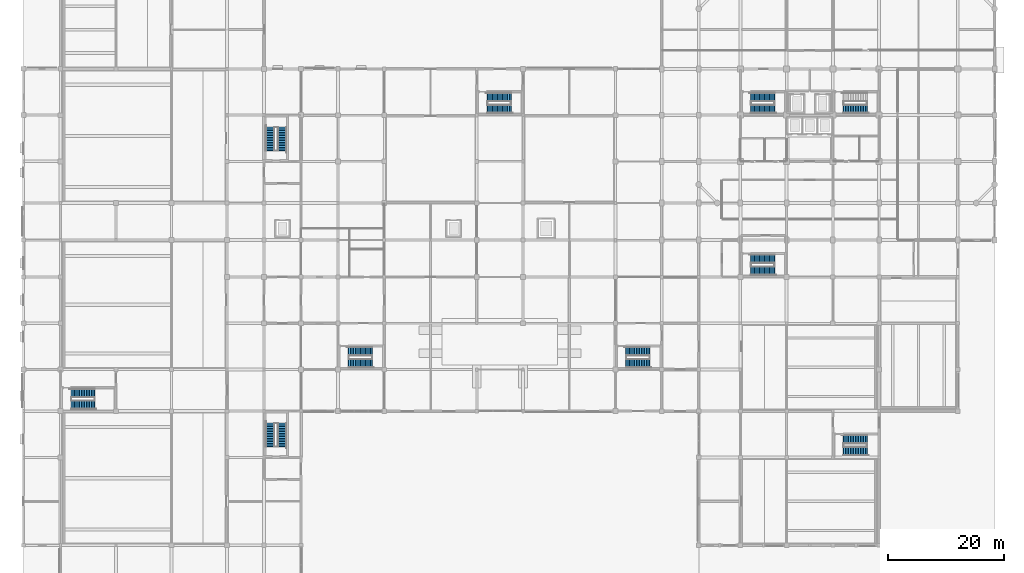
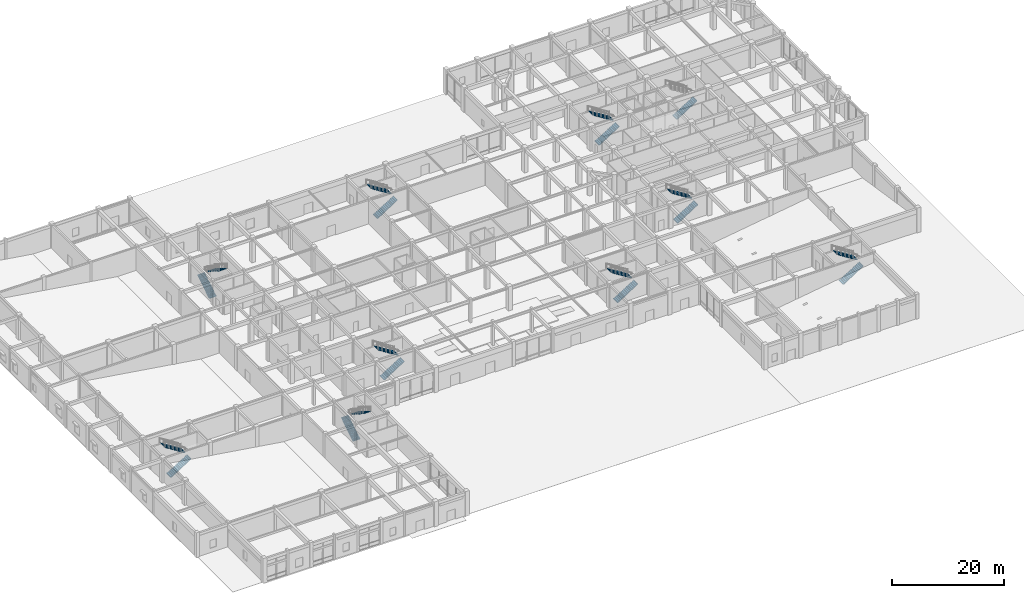
# One storey, part 35 of 40: 19 stair flights, 10 elements without a shape of their own.
"""IFC4 building model written with IfcOpenShell, lengths in metres."""

import ifcopenshell
import ifcopenshell.guid

model = None  # the IFC model being written
_history = None  # IfcOwnerHistory: only IFC2X3 demands one
_inside = {}  # id of a spatial element -> (the spatial element, [elements in it])
_under = {}  # id of a project, library or spatial element -> (it, [spatial elements below it])
_declared = {}  # id of a project -> (the project, [libraries it declares])
_typed = {}  # id of a type object -> (the type object, [elements of that type])
_made_of = {}  # id of a material, layer set ... -> (it, [elements and type objects made of it])


def new_model(schema):
    """Start an empty IFC model of exactly this schema.

    Asked for "IFC4X3", IfcOpenShell would pick the latest addendum, in which some entities
    have other attributes; the version numbers below select the first issue.
    IFC2X3 requires an IfcOwnerHistory on every rooted entity: one is made here for all.
    """
    global model, _history
    if schema == "IFC4X3":
        model = ifcopenshell.file(schema_version=(4, 3, 0, 0))
    else:
        model = ifcopenshell.file(schema=schema)
    _inside.clear()
    _under.clear()
    _declared.clear()
    _typed.clear()
    _made_of.clear()
    _history = None
    if model.schema == "IFC2X3":
        org = make("IfcOrganization", Name="unknown")
        user = make(
            "IfcPersonAndOrganization",
            ThePerson=make("IfcPerson", FamilyName="unknown"),
            TheOrganization=org,
        )
        app = make(
            "IfcApplication",
            ApplicationDeveloper=org,
            Version="unknown",
            ApplicationFullName="unknown",
            ApplicationIdentifier="unknown",
        )
        _history = make(
            "IfcOwnerHistory",
            OwningUser=user,
            OwningApplication=app,
            ChangeAction="ADDED",
            CreationDate=0,
        )
    return model


def make(cls, **values):
    """One entity of the class cls with the attributes given. An attribute that is None is left unset."""
    return model.create_entity(
        cls, **{name: value for name, value in values.items() if value is not None}
    )


def rooted(cls, **values):
    """An entity with a GlobalId (a new one), such as an element, a storey or a relation."""
    return make(cls, GlobalId=ifcopenshell.guid.new(), OwnerHistory=_history, **values)


def si_unit(unit_type, name, prefix=None):
    """IfcSIUnit, for example si_unit("LENGTHUNIT", "METRE", prefix="MILLI")."""
    return make("IfcSIUnit", UnitType=unit_type, Prefix=prefix, Name=name)


def assignment(units):
    """IfcUnitAssignment: the units of a project."""
    return None if units is None else make("IfcUnitAssignment", Units=units)


def point(xyz):
    """IfcCartesianPoint."""
    return None if xyz is None else make("IfcCartesianPoint", Coordinates=xyz)


def direction(xyz):
    """IfcDirection."""
    return None if xyz is None else make("IfcDirection", DirectionRatios=xyz)


def frame(location, z_axis=None, x_axis=None):
    """IfcAxis2Placement3D, a coordinate frame: its origin and axes. An axis left out is left unset."""
    return make(
        "IfcAxis2Placement3D",
        Location=point(location),
        Axis=direction(z_axis),
        RefDirection=direction(x_axis),
    )


def origin():
    """The frame at (0, 0, 0) with its axes left unset."""
    return frame((0.0, 0.0, 0.0))


def place(relative_to, where):
    """IfcLocalPlacement: puts the frame where relative to a parent placement (None: the world)."""
    return make(
        "IfcLocalPlacement", PlacementRelTo=relative_to, RelativePlacement=where
    )


def context(
    kind, dimensions, precision=None, world=None, true_north=None, identifier=None
):
    """IfcGeometricRepresentationContext, for example the 3D "Model" context."""
    return make(
        "IfcGeometricRepresentationContext",
        ContextIdentifier=identifier,
        ContextType=kind,
        CoordinateSpaceDimension=dimensions,
        Precision=precision,
        WorldCoordinateSystem=world,
        TrueNorth=true_north,
    )


def subcontext(parent, identifier, kind, view, scale=None):
    """IfcGeometricRepresentationSubContext, for example "Body" below "Model"."""
    return make(
        "IfcGeometricRepresentationSubContext",
        ContextIdentifier=identifier,
        ContextType=kind,
        ParentContext=parent,
        TargetScale=scale,
        TargetView=view,
    )


def project(units=None, contexts=None):
    """IfcProject with its units and contexts."""
    return rooted(
        "IfcProject",
        Name="project",
        RepresentationContexts=contexts,
        UnitsInContext=assignment(units),
    )


def spatial(cls, under=None, at=None, **own):
    """A site, building, storey or space (cls), placed at a placement, below another one or the project."""
    s = rooted(cls, ObjectPlacement=at, **own)
    if under is not None:
        _under.setdefault(under.id(), (under, []))[1].append(s)
    return s


def polyline(points):
    """IfcPolyline through the points."""
    return make("IfcPolyline", Points=[point(p) for p in points])


def outline(outer, holes=None, kind="AREA"):
    """IfcArbitraryClosedProfileDef: a profile drawn as a closed curve; with holes, ...WithVoids."""
    if holes is None:
        return make("IfcArbitraryClosedProfileDef", ProfileType=kind, OuterCurve=outer)
    return make(
        "IfcArbitraryProfileDefWithVoids",
        ProfileType=kind,
        OuterCurve=outer,
        InnerCurves=holes,
    )


def extrude(swept, where, along, depth):
    """IfcExtrudedAreaSolid: the profile swept, set in the frame where, extruded along a direction by depth."""
    return make(
        "IfcExtrudedAreaSolid",
        SweptArea=swept,
        Position=where,
        ExtrudedDirection=direction(along),
        Depth=depth,
    )


def shape(context_of_items, identifier, shape_type, items):
    """IfcShapeRepresentation: the items that make up one representation, for example the "Body"."""
    return make(
        "IfcShapeRepresentation",
        ContextOfItems=context_of_items,
        RepresentationIdentifier=identifier,
        RepresentationType=shape_type,
        Items=items,
    )


def material(Name=None, Category=None):
    """IfcMaterial."""
    return make("IfcMaterial", Name=Name, Category=Category)


def made_of(thing, what):
    """Note that an element or type object is made of a material, layer set ...; save() writes the relation."""
    if what is not None:
        _made_of.setdefault(what.id(), (what, []))[1].append(thing)
    return thing


def type_object(cls, material=None, **own):
    """A type object (cls), such as IfcWallType, which elements share."""
    return made_of(rooted(cls, **own), material)


def element(
    cls,
    number,
    at=None,
    inside=None,
    cuts=None,
    type_object=None,
    material=None,
    context=None,
    identifier="Body",
    shape_type=None,
    held_by="IfcProductDefinitionShape",
    body=None,
    shapes=None,
    **own,
):
    """One element of the class cls, such as IfcWall. Its Tag is "e" and its number.

    at: its placement. inside: the storey or other place that contains it. cuts: it is an
    opening in that element (IfcRelVoidsElement). A single representation is given by context,
    identifier, shape_type and body (its items); several are given by shapes. held_by: the class
    of the entity that holds the representations. save() writes the other relations.
    """
    e = rooted(cls, Tag="e%d" % number, ObjectPlacement=at, **own)
    if body is not None:
        shapes = [shape(context, identifier, shape_type, body)]
    if shapes is not None:
        e.Representation = make(held_by, Representations=shapes)
    if inside is not None:
        _inside.setdefault(inside.id(), (inside, []))[1].append(e)
    if cuts is not None:
        rooted(
            "IfcRelVoidsElement", RelatingBuildingElement=cuts, RelatedOpeningElement=e
        )
    if type_object is not None:
        _typed.setdefault(type_object.id(), (type_object, []))[1].append(e)
    return made_of(e, material)


def aggregate(whole, parts):
    """IfcRelAggregates: a whole, such as a stair, and the parts it consists of."""
    return rooted("IfcRelAggregates", RelatingObject=whole, RelatedObjects=parts)


def save(model, path):
    """Write the relations noted so far, then the file.

    IfcRelAggregates (storeys below a building ...), IfcRelContainedInSpatialStructure (elements
    in a storey), IfcRelDefinesByType, IfcRelAssociatesMaterial and IfcRelDeclares: one each for
    every whole, place, type object, material and project.
    """
    for whole, parts in _under.values():
        aggregate(whole, parts)
    for where, things in _inside.values():
        rooted(
            "IfcRelContainedInSpatialStructure",
            RelatedElements=things,
            RelatingStructure=where,
        )
    for kind, things in _typed.values():
        rooted("IfcRelDefinesByType", RelatedObjects=things, RelatingType=kind)
    for what, things in _made_of.values():
        rooted("IfcRelAssociatesMaterial", RelatedObjects=things, RelatingMaterial=what)
    for by, libraries in _declared.values():
        rooted("IfcRelDeclares", RelatingContext=by, RelatedDefinitions=libraries)
    model.write(path)


model = new_model("IFC4")

# Units and contexts
model_context = context("Model", 3, precision=1e-05, world=origin(), true_north=direction((0.0, 1.0)))
body_context = subcontext(model_context, "Body", "Model", "MODEL_VIEW")
ifc_project = project(units=[si_unit("LENGTHUNIT", "METRE"), si_unit("AREAUNIT", "SQUARE_METRE"), si_unit("VOLUMEUNIT", "CUBIC_METRE"), si_unit("PLANEANGLEUNIT", "RADIAN"), si_unit("MASSUNIT", "GRAM", prefix="KILO")], contexts=[model_context])

# Site, building, storey
site_placement = place(None, origin())
site = spatial("IfcSite", under=ifc_project, at=site_placement, CompositionType="ELEMENT")
building_placement = place(site_placement, origin())
building = spatial("IfcBuilding", under=site, at=building_placement, Name="Vellmiral Cinema and Media Centre", CompositionType="ELEMENT")
storey_placement = place(building_placement, origin())
storey = spatial("IfcBuildingStorey", under=building, at=storey_placement, Name="L00", CompositionType="ELEMENT", Elevation=0.0)

# Stair, stair flights
ifc_material_1 = material(Name="Concrete C40/50", Category="concrete")
stair_type = type_object("IfcStairType", Name="ST-2RET-540", PredefinedType="HALF_TURN_STAIR", material=ifc_material_1)
stair_1_placement = place(storey_placement, origin())
stair_1 = element("IfcStair", 1, at=stair_1_placement, inside=storey, type_object=stair_type, Name="Protected Escape Stair ST-P1 (L00)", PredefinedType="HALF_TURN_STAIR")
ifc_material_2 = material(Name="Concrete C40/50", Category="concrete")
stair_flight_type = type_object("IfcStairFlightType", Name="STF-STR-540", PredefinedType="STRAIGHT", material=ifc_material_2)
stair_flight_1_placement = place(storey_placement, frame((42.64990234375, 29.85009765625, 0.0), z_axis=(0.0, 0.0, 1.0), x_axis=(0.0, 1.0, 0.0)))
stair_flight_1 = element("IfcStairFlight", 2, at=stair_flight_1_placement, type_object=stair_flight_type, Name="ST-P1 flight 1", NumberOfRisers=15, NumberOfTreads=14, PredefinedType="STRAIGHT", RiserHeight=0.18, TreadLength=0.29, context=body_context, shape_type="SweptSolid", body=[
    extrude(outline(polyline([(-0.080078125, 0.0), (-0.080078125, 0.10009765625), (0.0, 0.179931640625), (0.2900390625, 0.179931640625), (0.2900390625, 0.360107421875), (0.580078125, 0.360107421875), (0.580078125, 0.5400390625), (0.8701171875, 0.5400390625), (0.8701171875, 0.719970703125), (1.159912109375, 0.719970703125), (1.159912109375, 0.89990234375), (1.449951171875, 0.89990234375), (1.449951171875, 1.080078125), (1.739990234375, 1.080078125), (1.739990234375, 1.260009765625), (2.030029296875, 1.260009765625), (2.030029296875, 1.43994140625), (2.320068359375, 1.43994140625), (2.320068359375, 1.6201171875), (2.610107421875, 1.6201171875), (2.610107421875, 1.800048828125), (2.89990234375, 1.800048828125), (2.89990234375, 1.97998046875), (3.18994140625, 1.97998046875), (3.18994140625, 2.159912109375), (3.47998046875, 2.159912109375), (3.47998046875, 2.340087890625), (3.77001953125, 2.340087890625), (3.77001953125, 2.52001953125), (4.06005859375, 2.52001953125), (4.06005859375, 2.699951171875), (4.14013671875, 2.699951171875), (4.14013671875, 2.5400390625), (0.179931640625, 0.0), (-0.080078125, 0.0)])), frame((0.0, 0.75, 0.0), z_axis=(0.0, -1.0, 0.0), x_axis=(1.0, 0.0, 0.0)), (0.0, 0.0, 1.0), 1.5),
])
stair_flight_2_placement = place(storey_placement, frame((44.75, 33.909912109375, 2.699951171875), z_axis=(0.0, 0.0, 1.0), x_axis=(0.0, -1.0, 0.0)))
stair_flight_2 = element("IfcStairFlight", 3, at=stair_flight_2_placement, type_object=stair_flight_type, Name="ST-P1 flight 2", NumberOfRisers=15, NumberOfTreads=14, PredefinedType="STRAIGHT", RiserHeight=0.18, TreadLength=0.29, context=body_context, shape_type="SweptSolid", body=[
    extrude(outline(polyline([(-0.080078125, 0.0), (-0.080078125, 0.10009765625), (0.0, 0.179931640625), (0.2900390625, 0.179931640625), (0.2900390625, 0.360107421875), (0.580078125, 0.360107421875), (0.580078125, 0.5400390625), (0.8701171875, 0.5400390625), (0.8701171875, 0.719970703125), (1.159912109375, 0.719970703125), (1.159912109375, 0.89990234375), (1.449951171875, 0.89990234375), (1.449951171875, 1.080078125), (1.739990234375, 1.080078125), (1.739990234375, 1.260009765625), (2.030029296875, 1.260009765625), (2.030029296875, 1.43994140625), (2.320068359375, 1.43994140625), (2.320068359375, 1.6201171875), (2.610107421875, 1.6201171875), (2.610107421875, 1.800048828125), (2.89990234375, 1.800048828125), (2.89990234375, 1.97998046875), (3.18994140625, 1.97998046875), (3.18994140625, 2.159912109375), (3.47998046875, 2.159912109375), (3.47998046875, 2.340087890625), (3.77001953125, 2.340087890625), (3.77001953125, 2.52001953125), (4.06005859375, 2.52001953125), (4.06005859375, 2.699951171875), (4.14013671875, 2.699951171875), (4.14013671875, 2.5400390625), (0.179931640625, 0.0), (-0.080078125, 0.0)])), frame((0.0, 0.75, 0.0), z_axis=(0.0, -1.0, 0.0), x_axis=(1.0, 0.0, 0.0)), (0.0, 0.0, 1.0), 1.5),
])
aggregate(stair_1, [stair_flight_1, stair_flight_2])

stair_2_placement = place(storey_placement, origin())
stair_2 = element("IfcStair", 4, at=stair_2_placement, inside=storey, type_object=stair_type, Name="Protected Escape Stair ST-P2 (L00)", PredefinedType="HALF_TURN_STAIR")
stair_flight_3_placement = place(storey_placement, frame((42.64990234375, 81.050048828125, 0.0), z_axis=(0.0, 0.0, 1.0), x_axis=(0.0, 1.0, 0.0)))
stair_flight_3 = element("IfcStairFlight", 5, at=stair_flight_3_placement, type_object=stair_flight_type, Name="ST-P2 flight 1", NumberOfRisers=15, NumberOfTreads=14, PredefinedType="STRAIGHT", RiserHeight=0.18, TreadLength=0.29, context=body_context, shape_type="SweptSolid", body=[
    extrude(outline(polyline([(-0.080078125, 0.0), (-0.080078125, 0.10009765625), (0.0, 0.179931640625), (0.2900390625, 0.179931640625), (0.2900390625, 0.360107421875), (0.580078125, 0.360107421875), (0.580078125, 0.5400390625), (0.8701171875, 0.5400390625), (0.8701171875, 0.719970703125), (1.159912109375, 0.719970703125), (1.159912109375, 0.89990234375), (1.449951171875, 0.89990234375), (1.449951171875, 1.080078125), (1.739990234375, 1.080078125), (1.739990234375, 1.260009765625), (2.030029296875, 1.260009765625), (2.030029296875, 1.43994140625), (2.320068359375, 1.43994140625), (2.320068359375, 1.6201171875), (2.610107421875, 1.6201171875), (2.610107421875, 1.800048828125), (2.89990234375, 1.800048828125), (2.89990234375, 1.97998046875), (3.18994140625, 1.97998046875), (3.18994140625, 2.159912109375), (3.47998046875, 2.159912109375), (3.47998046875, 2.340087890625), (3.77001953125, 2.340087890625), (3.77001953125, 2.52001953125), (4.06005859375, 2.52001953125), (4.06005859375, 2.699951171875), (4.14013671875, 2.699951171875), (4.14013671875, 2.5400390625), (0.179931640625, 0.0), (-0.080078125, 0.0)])), frame((0.0, 0.75, 0.0), z_axis=(0.0, -1.0, 0.0), x_axis=(1.0, 0.0, 0.0)), (0.0, 0.0, 1.0), 1.5),
])
stair_flight_4_placement = place(storey_placement, frame((44.75, 85.110107421875, 2.699951171875), z_axis=(0.0, 0.0, 1.0), x_axis=(0.0, -1.0, 0.0)))
stair_flight_4 = element("IfcStairFlight", 6, at=stair_flight_4_placement, type_object=stair_flight_type, Name="ST-P2 flight 2", NumberOfRisers=15, NumberOfTreads=14, PredefinedType="STRAIGHT", RiserHeight=0.18, TreadLength=0.29, context=body_context, shape_type="SweptSolid", body=[
    extrude(outline(polyline([(-0.080078125, 0.0), (-0.080078125, 0.10009765625), (0.0, 0.179931640625), (0.2900390625, 0.179931640625), (0.2900390625, 0.360107421875), (0.580078125, 0.360107421875), (0.580078125, 0.5400390625), (0.8701171875, 0.5400390625), (0.8701171875, 0.719970703125), (1.159912109375, 0.719970703125), (1.159912109375, 0.89990234375), (1.449951171875, 0.89990234375), (1.449951171875, 1.080078125), (1.739990234375, 1.080078125), (1.739990234375, 1.260009765625), (2.030029296875, 1.260009765625), (2.030029296875, 1.43994140625), (2.320068359375, 1.43994140625), (2.320068359375, 1.6201171875), (2.610107421875, 1.6201171875), (2.610107421875, 1.800048828125), (2.89990234375, 1.800048828125), (2.89990234375, 1.97998046875), (3.18994140625, 1.97998046875), (3.18994140625, 2.159912109375), (3.47998046875, 2.159912109375), (3.47998046875, 2.340087890625), (3.77001953125, 2.340087890625), (3.77001953125, 2.52001953125), (4.06005859375, 2.52001953125), (4.06005859375, 2.699951171875), (4.14013671875, 2.699951171875), (4.14013671875, 2.5400390625), (0.179931640625, 0.0), (-0.080078125, 0.0)])), frame((0.0, 0.75, 0.0), z_axis=(0.0, -1.0, 0.0), x_axis=(1.0, 0.0, 0.0)), (0.0, 0.0, 1.0), 1.5),
])
aggregate(stair_2, [stair_flight_3, stair_flight_4])

stair_3_placement = place(storey_placement, origin())
stair_3 = element("IfcStair", 7, at=stair_3_placement, inside=storey, type_object=stair_type, Name="Protected Escape Stair ST-P3 (L00)", PredefinedType="HALF_TURN_STAIR")
stair_flight_5_placement = place(storey_placement, frame((56.25, 44.25, 0.0), z_axis=(0.0, 0.0, 1.0), x_axis=(1.0, 0.0, 0.0)))
stair_flight_5 = element("IfcStairFlight", 8, at=stair_flight_5_placement, type_object=stair_flight_type, Name="ST-P3 flight 1", NumberOfRisers=15, NumberOfTreads=14, PredefinedType="STRAIGHT", RiserHeight=0.18, TreadLength=0.29, context=body_context, shape_type="SweptSolid", body=[
    extrude(outline(polyline([(-0.080078125, 0.0), (-0.080078125, 0.10009765625), (0.0, 0.179931640625), (0.2900390625, 0.179931640625), (0.2900390625, 0.360107421875), (0.580078125, 0.360107421875), (0.580078125, 0.5400390625), (0.8701171875, 0.5400390625), (0.8701171875, 0.719970703125), (1.159912109375, 0.719970703125), (1.159912109375, 0.89990234375), (1.449951171875, 0.89990234375), (1.449951171875, 1.080078125), (1.739990234375, 1.080078125), (1.739990234375, 1.260009765625), (2.030029296875, 1.260009765625), (2.030029296875, 1.43994140625), (2.320068359375, 1.43994140625), (2.320068359375, 1.6201171875), (2.610107421875, 1.6201171875), (2.610107421875, 1.800048828125), (2.89990234375, 1.800048828125), (2.89990234375, 1.97998046875), (3.18994140625, 1.97998046875), (3.18994140625, 2.159912109375), (3.47998046875, 2.159912109375), (3.47998046875, 2.340087890625), (3.77001953125, 2.340087890625), (3.77001953125, 2.52001953125), (4.06005859375, 2.52001953125), (4.06005859375, 2.699951171875), (4.14013671875, 2.699951171875), (4.14013671875, 2.5400390625), (0.179931640625, 0.0), (-0.080078125, 0.0)])), frame((0.0, 0.75, 0.0), z_axis=(0.0, -1.0, 0.0), x_axis=(1.0, 0.0, 0.0)), (0.0, 0.0, 1.0), 1.5),
])
stair_flight_6_placement = place(storey_placement, frame((60.31005859375, 46.35009765625, 2.699951171875), z_axis=(0.0, 0.0, 1.0), x_axis=(-1.0, 0.0, 0.0)))
stair_flight_6 = element("IfcStairFlight", 9, at=stair_flight_6_placement, type_object=stair_flight_type, Name="ST-P3 flight 2", NumberOfRisers=15, NumberOfTreads=14, PredefinedType="STRAIGHT", RiserHeight=0.18, TreadLength=0.29, context=body_context, shape_type="SweptSolid", body=[
    extrude(outline(polyline([(-0.080078125, 0.0), (-0.080078125, 0.10009765625), (0.0, 0.179931640625), (0.2900390625, 0.179931640625), (0.2900390625, 0.360107421875), (0.580078125, 0.360107421875), (0.580078125, 0.5400390625), (0.8701171875, 0.5400390625), (0.8701171875, 0.719970703125), (1.159912109375, 0.719970703125), (1.159912109375, 0.89990234375), (1.449951171875, 0.89990234375), (1.449951171875, 1.080078125), (1.739990234375, 1.080078125), (1.739990234375, 1.260009765625), (2.030029296875, 1.260009765625), (2.030029296875, 1.43994140625), (2.320068359375, 1.43994140625), (2.320068359375, 1.6201171875), (2.610107421875, 1.6201171875), (2.610107421875, 1.800048828125), (2.89990234375, 1.800048828125), (2.89990234375, 1.97998046875), (3.18994140625, 1.97998046875), (3.18994140625, 2.159912109375), (3.47998046875, 2.159912109375), (3.47998046875, 2.340087890625), (3.77001953125, 2.340087890625), (3.77001953125, 2.52001953125), (4.06005859375, 2.52001953125), (4.06005859375, 2.699951171875), (4.14013671875, 2.699951171875), (4.14013671875, 2.5400390625), (0.179931640625, 0.0), (-0.080078125, 0.0)])), frame((0.0, 0.75, 0.0), z_axis=(0.0, -1.0, 0.0), x_axis=(1.0, 0.0, 0.0)), (0.0, 0.0, 1.0), 1.5),
])
aggregate(stair_3, [stair_flight_5, stair_flight_6])

stair_4_placement = place(storey_placement, origin())
stair_4 = element("IfcStair", 10, at=stair_4_placement, inside=storey, type_object=stair_type, Name="Protected Escape Stair ST-P4 (L00)", PredefinedType="HALF_TURN_STAIR")
stair_flight_7_placement = place(storey_placement, frame((104.25, 44.25, 0.0), z_axis=(0.0, 0.0, 1.0), x_axis=(1.0, 0.0, 0.0)))
stair_flight_7 = element("IfcStairFlight", 11, at=stair_flight_7_placement, type_object=stair_flight_type, Name="ST-P4 flight 1", NumberOfRisers=15, NumberOfTreads=14, PredefinedType="STRAIGHT", RiserHeight=0.18, TreadLength=0.29, context=body_context, shape_type="SweptSolid", body=[
    extrude(outline(polyline([(-0.080078125, 0.0), (-0.080078125, 0.10009765625), (0.0, 0.179931640625), (0.2900390625, 0.179931640625), (0.2900390625, 0.360107421875), (0.580078125, 0.360107421875), (0.580078125, 0.5400390625), (0.8701171875, 0.5400390625), (0.8701171875, 0.719970703125), (1.159912109375, 0.719970703125), (1.159912109375, 0.89990234375), (1.449951171875, 0.89990234375), (1.449951171875, 1.080078125), (1.739990234375, 1.080078125), (1.739990234375, 1.260009765625), (2.030029296875, 1.260009765625), (2.030029296875, 1.43994140625), (2.320068359375, 1.43994140625), (2.320068359375, 1.6201171875), (2.610107421875, 1.6201171875), (2.610107421875, 1.800048828125), (2.89990234375, 1.800048828125), (2.89990234375, 1.97998046875), (3.18994140625, 1.97998046875), (3.18994140625, 2.159912109375), (3.47998046875, 2.159912109375), (3.47998046875, 2.340087890625), (3.77001953125, 2.340087890625), (3.77001953125, 2.52001953125), (4.06005859375, 2.52001953125), (4.06005859375, 2.699951171875), (4.14013671875, 2.699951171875), (4.14013671875, 2.5400390625), (0.179931640625, 0.0), (-0.080078125, 0.0)])), frame((0.0, 0.75, 0.0), z_axis=(0.0, -1.0, 0.0), x_axis=(1.0, 0.0, 0.0)), (0.0, 0.0, 1.0), 1.5),
])
stair_flight_8_placement = place(storey_placement, frame((108.31005859375, 46.35009765625, 2.699951171875), z_axis=(0.0, 0.0, 1.0), x_axis=(-1.0, 0.0, 0.0)))
stair_flight_8 = element("IfcStairFlight", 12, at=stair_flight_8_placement, type_object=stair_flight_type, Name="ST-P4 flight 2", NumberOfRisers=15, NumberOfTreads=14, PredefinedType="STRAIGHT", RiserHeight=0.18, TreadLength=0.29, context=body_context, shape_type="SweptSolid", body=[
    extrude(outline(polyline([(-0.080078125, 0.0), (-0.080078125, 0.10009765625), (0.0, 0.179931640625), (0.2900390625, 0.179931640625), (0.2900390625, 0.360107421875), (0.580078125, 0.360107421875), (0.580078125, 0.5400390625), (0.8701171875, 0.5400390625), (0.8701171875, 0.719970703125), (1.159912109375, 0.719970703125), (1.159912109375, 0.89990234375), (1.449951171875, 0.89990234375), (1.449951171875, 1.080078125), (1.739990234375, 1.080078125), (1.739990234375, 1.260009765625), (2.030029296875, 1.260009765625), (2.030029296875, 1.43994140625), (2.320068359375, 1.43994140625), (2.320068359375, 1.6201171875), (2.610107421875, 1.6201171875), (2.610107421875, 1.800048828125), (2.89990234375, 1.800048828125), (2.89990234375, 1.97998046875), (3.18994140625, 1.97998046875), (3.18994140625, 2.159912109375), (3.47998046875, 2.159912109375), (3.47998046875, 2.340087890625), (3.77001953125, 2.340087890625), (3.77001953125, 2.52001953125), (4.06005859375, 2.52001953125), (4.06005859375, 2.699951171875), (4.14013671875, 2.699951171875), (4.14013671875, 2.5400390625), (0.179931640625, 0.0), (-0.080078125, 0.0)])), frame((0.0, 0.75, 0.0), z_axis=(0.0, -1.0, 0.0), x_axis=(1.0, 0.0, 0.0)), (0.0, 0.0, 1.0), 1.5),
])
aggregate(stair_4, [stair_flight_7, stair_flight_8])

stair_5_placement = place(storey_placement, origin())
stair_5 = element("IfcStair", 13, at=stair_5_placement, inside=storey, type_object=stair_type, Name="Protected Escape Stair ST-P5 (L00)", PredefinedType="HALF_TURN_STAIR")
stair_flight_9_placement = place(storey_placement, frame((80.25, 88.25, 0.0), z_axis=(0.0, 0.0, 1.0), x_axis=(1.0, 0.0, 0.0)))
stair_flight_9 = element("IfcStairFlight", 14, at=stair_flight_9_placement, type_object=stair_flight_type, Name="ST-P5 flight 1", NumberOfRisers=15, NumberOfTreads=14, PredefinedType="STRAIGHT", RiserHeight=0.18, TreadLength=0.29, context=body_context, shape_type="SweptSolid", body=[
    extrude(outline(polyline([(-0.080078125, 0.0), (-0.080078125, 0.10009765625), (0.0, 0.179931640625), (0.2900390625, 0.179931640625), (0.2900390625, 0.360107421875), (0.580078125, 0.360107421875), (0.580078125, 0.5400390625), (0.8701171875, 0.5400390625), (0.8701171875, 0.719970703125), (1.159912109375, 0.719970703125), (1.159912109375, 0.89990234375), (1.449951171875, 0.89990234375), (1.449951171875, 1.080078125), (1.739990234375, 1.080078125), (1.739990234375, 1.260009765625), (2.030029296875, 1.260009765625), (2.030029296875, 1.43994140625), (2.320068359375, 1.43994140625), (2.320068359375, 1.6201171875), (2.610107421875, 1.6201171875), (2.610107421875, 1.800048828125), (2.89990234375, 1.800048828125), (2.89990234375, 1.97998046875), (3.18994140625, 1.97998046875), (3.18994140625, 2.159912109375), (3.47998046875, 2.159912109375), (3.47998046875, 2.340087890625), (3.77001953125, 2.340087890625), (3.77001953125, 2.52001953125), (4.06005859375, 2.52001953125), (4.06005859375, 2.699951171875), (4.14013671875, 2.699951171875), (4.14013671875, 2.5400390625), (0.179931640625, 0.0), (-0.080078125, 0.0)])), frame((0.0, 0.75, 0.0), z_axis=(0.0, -1.0, 0.0), x_axis=(1.0, 0.0, 0.0)), (0.0, 0.0, 1.0), 1.5),
])
stair_flight_10_placement = place(storey_placement, frame((84.31005859375, 90.35009765625, 2.699951171875), z_axis=(0.0, 0.0, 1.0), x_axis=(-1.0, 0.0, 0.0)))
stair_flight_10 = element("IfcStairFlight", 15, at=stair_flight_10_placement, type_object=stair_flight_type, Name="ST-P5 flight 2", NumberOfRisers=15, NumberOfTreads=14, PredefinedType="STRAIGHT", RiserHeight=0.18, TreadLength=0.29, context=body_context, shape_type="SweptSolid", body=[
    extrude(outline(polyline([(-0.080078125, 0.0), (-0.080078125, 0.10009765625), (0.0, 0.179931640625), (0.2900390625, 0.179931640625), (0.2900390625, 0.360107421875), (0.580078125, 0.360107421875), (0.580078125, 0.5400390625), (0.8701171875, 0.5400390625), (0.8701171875, 0.719970703125), (1.159912109375, 0.719970703125), (1.159912109375, 0.89990234375), (1.449951171875, 0.89990234375), (1.449951171875, 1.080078125), (1.739990234375, 1.080078125), (1.739990234375, 1.260009765625), (2.030029296875, 1.260009765625), (2.030029296875, 1.43994140625), (2.320068359375, 1.43994140625), (2.320068359375, 1.6201171875), (2.610107421875, 1.6201171875), (2.610107421875, 1.800048828125), (2.89990234375, 1.800048828125), (2.89990234375, 1.97998046875), (3.18994140625, 1.97998046875), (3.18994140625, 2.159912109375), (3.47998046875, 2.159912109375), (3.47998046875, 2.340087890625), (3.77001953125, 2.340087890625), (3.77001953125, 2.52001953125), (4.06005859375, 2.52001953125), (4.06005859375, 2.699951171875), (4.14013671875, 2.699951171875), (4.14013671875, 2.5400390625), (0.179931640625, 0.0), (-0.080078125, 0.0)])), frame((0.0, 0.75, 0.0), z_axis=(0.0, -1.0, 0.0), x_axis=(1.0, 0.0, 0.0)), (0.0, 0.0, 1.0), 1.5),
])
aggregate(stair_5, [stair_flight_9, stair_flight_10])

stair_6_placement = place(storey_placement, origin())
stair_6 = element("IfcStair", 16, at=stair_6_placement, inside=storey, type_object=stair_type, Name="Protected Escape Stair ST-P6 (L00)", PredefinedType="HALF_TURN_STAIR")
stair_flight_11_placement = place(storey_placement, frame((125.85009765625, 60.25, 0.0), z_axis=(0.0, 0.0, 1.0), x_axis=(1.0, 0.0, 0.0)))
stair_flight_11 = element("IfcStairFlight", 17, at=stair_flight_11_placement, type_object=stair_flight_type, Name="ST-P6 flight 1", NumberOfRisers=15, NumberOfTreads=14, PredefinedType="STRAIGHT", RiserHeight=0.18, TreadLength=0.29, context=body_context, shape_type="SweptSolid", body=[
    extrude(outline(polyline([(-0.080078125, 0.0), (-0.080078125, 0.10009765625), (0.0, 0.179931640625), (0.2900390625, 0.179931640625), (0.2900390625, 0.360107421875), (0.580078125, 0.360107421875), (0.580078125, 0.5400390625), (0.8701171875, 0.5400390625), (0.8701171875, 0.719970703125), (1.159912109375, 0.719970703125), (1.159912109375, 0.89990234375), (1.449951171875, 0.89990234375), (1.449951171875, 1.080078125), (1.739990234375, 1.080078125), (1.739990234375, 1.260009765625), (2.030029296875, 1.260009765625), (2.030029296875, 1.43994140625), (2.320068359375, 1.43994140625), (2.320068359375, 1.6201171875), (2.610107421875, 1.6201171875), (2.610107421875, 1.800048828125), (2.89990234375, 1.800048828125), (2.89990234375, 1.97998046875), (3.18994140625, 1.97998046875), (3.18994140625, 2.159912109375), (3.47998046875, 2.159912109375), (3.47998046875, 2.340087890625), (3.77001953125, 2.340087890625), (3.77001953125, 2.52001953125), (4.06005859375, 2.52001953125), (4.06005859375, 2.699951171875), (4.14013671875, 2.699951171875), (4.14013671875, 2.5400390625), (0.179931640625, 0.0), (-0.080078125, 0.0)])), frame((0.0, 0.75, 0.0), z_axis=(0.0, -1.0, 0.0), x_axis=(1.0, 0.0, 0.0)), (0.0, 0.0, 1.0), 1.5),
])
stair_flight_12_placement = place(storey_placement, frame((129.909912109375, 62.35009765625, 2.699951171875), z_axis=(0.0, 0.0, 1.0), x_axis=(-1.0, 0.0, 0.0)))
stair_flight_12 = element("IfcStairFlight", 18, at=stair_flight_12_placement, type_object=stair_flight_type, Name="ST-P6 flight 2", NumberOfRisers=15, NumberOfTreads=14, PredefinedType="STRAIGHT", RiserHeight=0.18, TreadLength=0.29, context=body_context, shape_type="SweptSolid", body=[
    extrude(outline(polyline([(-0.080078125, 0.0), (-0.080078125, 0.10009765625), (0.0, 0.179931640625), (0.2900390625, 0.179931640625), (0.2900390625, 0.360107421875), (0.580078125, 0.360107421875), (0.580078125, 0.5400390625), (0.8701171875, 0.5400390625), (0.8701171875, 0.719970703125), (1.159912109375, 0.719970703125), (1.159912109375, 0.89990234375), (1.449951171875, 0.89990234375), (1.449951171875, 1.080078125), (1.739990234375, 1.080078125), (1.739990234375, 1.260009765625), (2.030029296875, 1.260009765625), (2.030029296875, 1.43994140625), (2.320068359375, 1.43994140625), (2.320068359375, 1.6201171875), (2.610107421875, 1.6201171875), (2.610107421875, 1.800048828125), (2.89990234375, 1.800048828125), (2.89990234375, 1.97998046875), (3.18994140625, 1.97998046875), (3.18994140625, 2.159912109375), (3.47998046875, 2.159912109375), (3.47998046875, 2.340087890625), (3.77001953125, 2.340087890625), (3.77001953125, 2.52001953125), (4.06005859375, 2.52001953125), (4.06005859375, 2.699951171875), (4.14013671875, 2.699951171875), (4.14013671875, 2.5400390625), (0.179931640625, 0.0), (-0.080078125, 0.0)])), frame((0.0, 0.75, 0.0), z_axis=(0.0, -1.0, 0.0), x_axis=(1.0, 0.0, 0.0)), (0.0, 0.0, 1.0), 1.5),
])
aggregate(stair_6, [stair_flight_11, stair_flight_12])

stair_7_placement = place(storey_placement, origin())
stair_7 = element("IfcStair", 19, at=stair_7_placement, inside=storey, type_object=stair_type, Name="Protected Escape Stair ST-P7 (L00)", PredefinedType="HALF_TURN_STAIR")
stair_flight_13_placement = place(storey_placement, frame((8.25, 37.050048828125, 0.0), z_axis=(0.0, 0.0, 1.0), x_axis=(1.0, 0.0, 0.0)))
stair_flight_13 = element("IfcStairFlight", 20, at=stair_flight_13_placement, type_object=stair_flight_type, Name="ST-P7 flight 1", NumberOfRisers=15, NumberOfTreads=14, PredefinedType="STRAIGHT", RiserHeight=0.18, TreadLength=0.29, context=body_context, shape_type="SweptSolid", body=[
    extrude(outline(polyline([(-0.080078125, 0.0), (-0.080078125, 0.10009765625), (0.0, 0.179931640625), (0.2900390625, 0.179931640625), (0.2900390625, 0.360107421875), (0.580078125, 0.360107421875), (0.580078125, 0.5400390625), (0.8701171875, 0.5400390625), (0.8701171875, 0.719970703125), (1.159912109375, 0.719970703125), (1.159912109375, 0.89990234375), (1.449951171875, 0.89990234375), (1.449951171875, 1.080078125), (1.739990234375, 1.080078125), (1.739990234375, 1.260009765625), (2.030029296875, 1.260009765625), (2.030029296875, 1.43994140625), (2.320068359375, 1.43994140625), (2.320068359375, 1.6201171875), (2.610107421875, 1.6201171875), (2.610107421875, 1.800048828125), (2.89990234375, 1.800048828125), (2.89990234375, 1.97998046875), (3.18994140625, 1.97998046875), (3.18994140625, 2.159912109375), (3.47998046875, 2.159912109375), (3.47998046875, 2.340087890625), (3.77001953125, 2.340087890625), (3.77001953125, 2.52001953125), (4.06005859375, 2.52001953125), (4.06005859375, 2.699951171875), (4.14013671875, 2.699951171875), (4.14013671875, 2.5400390625), (0.179931640625, 0.0), (-0.080078125, 0.0)])), frame((0.0, 0.75, 0.0), z_axis=(0.0, -1.0, 0.0), x_axis=(1.0, 0.0, 0.0)), (0.0, 0.0, 1.0), 1.5),
])
stair_flight_14_placement = place(storey_placement, frame((12.31005859375, 39.14990234375, 2.699951171875), z_axis=(0.0, 0.0, 1.0), x_axis=(-1.0, 0.0, 0.0)))
stair_flight_14 = element("IfcStairFlight", 21, at=stair_flight_14_placement, type_object=stair_flight_type, Name="ST-P7 flight 2", NumberOfRisers=15, NumberOfTreads=14, PredefinedType="STRAIGHT", RiserHeight=0.18, TreadLength=0.29, context=body_context, shape_type="SweptSolid", body=[
    extrude(outline(polyline([(-0.080078125, 0.0), (-0.080078125, 0.10009765625), (0.0, 0.179931640625), (0.2900390625, 0.179931640625), (0.2900390625, 0.360107421875), (0.580078125, 0.360107421875), (0.580078125, 0.5400390625), (0.8701171875, 0.5400390625), (0.8701171875, 0.719970703125), (1.159912109375, 0.719970703125), (1.159912109375, 0.89990234375), (1.449951171875, 0.89990234375), (1.449951171875, 1.080078125), (1.739990234375, 1.080078125), (1.739990234375, 1.260009765625), (2.030029296875, 1.260009765625), (2.030029296875, 1.43994140625), (2.320068359375, 1.43994140625), (2.320068359375, 1.6201171875), (2.610107421875, 1.6201171875), (2.610107421875, 1.800048828125), (2.89990234375, 1.800048828125), (2.89990234375, 1.97998046875), (3.18994140625, 1.97998046875), (3.18994140625, 2.159912109375), (3.47998046875, 2.159912109375), (3.47998046875, 2.340087890625), (3.77001953125, 2.340087890625), (3.77001953125, 2.52001953125), (4.06005859375, 2.52001953125), (4.06005859375, 2.699951171875), (4.14013671875, 2.699951171875), (4.14013671875, 2.5400390625), (0.179931640625, 0.0), (-0.080078125, 0.0)])), frame((0.0, 0.75, 0.0), z_axis=(0.0, -1.0, 0.0), x_axis=(1.0, 0.0, 0.0)), (0.0, 0.0, 1.0), 1.5),
])
aggregate(stair_7, [stair_flight_13, stair_flight_14])

stair_8_placement = place(storey_placement, origin())
stair_8 = element("IfcStair", 22, at=stair_8_placement, inside=storey, type_object=stair_type, Name="Protected Escape Stair ST-P8 (L00)", PredefinedType="HALF_TURN_STAIR")
stair_flight_15_placement = place(storey_placement, frame((141.85009765625, 29.050048828125, 0.0), z_axis=(0.0, 0.0, 1.0), x_axis=(1.0, 0.0, 0.0)))
stair_flight_15 = element("IfcStairFlight", 23, at=stair_flight_15_placement, type_object=stair_flight_type, Name="ST-P8 flight 1", NumberOfRisers=15, NumberOfTreads=14, PredefinedType="STRAIGHT", RiserHeight=0.18, TreadLength=0.29, context=body_context, shape_type="SweptSolid", body=[
    extrude(outline(polyline([(-0.080078125, 0.0), (-0.080078125, 0.10009765625), (0.0, 0.179931640625), (0.2900390625, 0.179931640625), (0.2900390625, 0.360107421875), (0.580078125, 0.360107421875), (0.580078125, 0.5400390625), (0.8701171875, 0.5400390625), (0.8701171875, 0.719970703125), (1.159912109375, 0.719970703125), (1.159912109375, 0.89990234375), (1.449951171875, 0.89990234375), (1.449951171875, 1.080078125), (1.739990234375, 1.080078125), (1.739990234375, 1.260009765625), (2.030029296875, 1.260009765625), (2.030029296875, 1.43994140625), (2.320068359375, 1.43994140625), (2.320068359375, 1.6201171875), (2.610107421875, 1.6201171875), (2.610107421875, 1.800048828125), (2.89990234375, 1.800048828125), (2.89990234375, 1.97998046875), (3.18994140625, 1.97998046875), (3.18994140625, 2.159912109375), (3.47998046875, 2.159912109375), (3.47998046875, 2.340087890625), (3.77001953125, 2.340087890625), (3.77001953125, 2.52001953125), (4.06005859375, 2.52001953125), (4.06005859375, 2.699951171875), (4.14013671875, 2.699951171875), (4.14013671875, 2.5400390625), (0.179931640625, 0.0), (-0.080078125, 0.0)])), frame((0.0, 0.75, 0.0), z_axis=(0.0, -1.0, 0.0), x_axis=(1.0, 0.0, 0.0)), (0.0, 0.0, 1.0), 1.5),
])
stair_flight_16_placement = place(storey_placement, frame((145.909912109375, 31.14990234375, 2.699951171875), z_axis=(0.0, 0.0, 1.0), x_axis=(-1.0, 0.0, 0.0)))
stair_flight_16 = element("IfcStairFlight", 24, at=stair_flight_16_placement, type_object=stair_flight_type, Name="ST-P8 flight 2", NumberOfRisers=15, NumberOfTreads=14, PredefinedType="STRAIGHT", RiserHeight=0.18, TreadLength=0.29, context=body_context, shape_type="SweptSolid", body=[
    extrude(outline(polyline([(-0.080078125, 0.0), (-0.080078125, 0.10009765625), (0.0, 0.179931640625), (0.2900390625, 0.179931640625), (0.2900390625, 0.360107421875), (0.580078125, 0.360107421875), (0.580078125, 0.5400390625), (0.8701171875, 0.5400390625), (0.8701171875, 0.719970703125), (1.159912109375, 0.719970703125), (1.159912109375, 0.89990234375), (1.449951171875, 0.89990234375), (1.449951171875, 1.080078125), (1.739990234375, 1.080078125), (1.739990234375, 1.260009765625), (2.030029296875, 1.260009765625), (2.030029296875, 1.43994140625), (2.320068359375, 1.43994140625), (2.320068359375, 1.6201171875), (2.610107421875, 1.6201171875), (2.610107421875, 1.800048828125), (2.89990234375, 1.800048828125), (2.89990234375, 1.97998046875), (3.18994140625, 1.97998046875), (3.18994140625, 2.159912109375), (3.47998046875, 2.159912109375), (3.47998046875, 2.340087890625), (3.77001953125, 2.340087890625), (3.77001953125, 2.52001953125), (4.06005859375, 2.52001953125), (4.06005859375, 2.699951171875), (4.14013671875, 2.699951171875), (4.14013671875, 2.5400390625), (0.179931640625, 0.0), (-0.080078125, 0.0)])), frame((0.0, 0.75, 0.0), z_axis=(0.0, -1.0, 0.0), x_axis=(1.0, 0.0, 0.0)), (0.0, 0.0, 1.0), 1.5),
])
aggregate(stair_8, [stair_flight_15, stair_flight_16])

stair_9_placement = place(storey_placement, origin())
stair_9 = element("IfcStair", 25, at=stair_9_placement, inside=storey, type_object=stair_type, Name="Protected Escape Stair ST-T1 (L00)", PredefinedType="HALF_TURN_STAIR")
stair_flight_17_placement = place(storey_placement, frame((125.85009765625, 88.25, 0.0), z_axis=(0.0, 0.0, 1.0), x_axis=(1.0, 0.0, 0.0)))
stair_flight_17 = element("IfcStairFlight", 26, at=stair_flight_17_placement, type_object=stair_flight_type, Name="ST-T1 flight 1", NumberOfRisers=15, NumberOfTreads=14, PredefinedType="STRAIGHT", RiserHeight=0.18, TreadLength=0.29, context=body_context, shape_type="SweptSolid", body=[
    extrude(outline(polyline([(-0.080078125, 0.0), (-0.080078125, 0.10009765625), (0.0, 0.179931640625), (0.2900390625, 0.179931640625), (0.2900390625, 0.360107421875), (0.580078125, 0.360107421875), (0.580078125, 0.5400390625), (0.8701171875, 0.5400390625), (0.8701171875, 0.719970703125), (1.159912109375, 0.719970703125), (1.159912109375, 0.89990234375), (1.449951171875, 0.89990234375), (1.449951171875, 1.080078125), (1.739990234375, 1.080078125), (1.739990234375, 1.260009765625), (2.030029296875, 1.260009765625), (2.030029296875, 1.43994140625), (2.320068359375, 1.43994140625), (2.320068359375, 1.6201171875), (2.610107421875, 1.6201171875), (2.610107421875, 1.800048828125), (2.89990234375, 1.800048828125), (2.89990234375, 1.97998046875), (3.18994140625, 1.97998046875), (3.18994140625, 2.159912109375), (3.47998046875, 2.159912109375), (3.47998046875, 2.340087890625), (3.77001953125, 2.340087890625), (3.77001953125, 2.52001953125), (4.06005859375, 2.52001953125), (4.06005859375, 2.699951171875), (4.14013671875, 2.699951171875), (4.14013671875, 2.5400390625), (0.179931640625, 0.0), (-0.080078125, 0.0)])), frame((0.0, 0.75, 0.0), z_axis=(0.0, -1.0, 0.0), x_axis=(1.0, 0.0, 0.0)), (0.0, 0.0, 1.0), 1.5),
])
stair_flight_18_placement = place(storey_placement, frame((129.909912109375, 90.35009765625, 2.699951171875), z_axis=(0.0, 0.0, 1.0), x_axis=(-1.0, 0.0, 0.0)))
stair_flight_18 = element("IfcStairFlight", 27, at=stair_flight_18_placement, type_object=stair_flight_type, Name="ST-T1 flight 2", NumberOfRisers=15, NumberOfTreads=14, PredefinedType="STRAIGHT", RiserHeight=0.18, TreadLength=0.29, context=body_context, shape_type="SweptSolid", body=[
    extrude(outline(polyline([(-0.080078125, 0.0), (-0.080078125, 0.10009765625), (0.0, 0.179931640625), (0.2900390625, 0.179931640625), (0.2900390625, 0.360107421875), (0.580078125, 0.360107421875), (0.580078125, 0.5400390625), (0.8701171875, 0.5400390625), (0.8701171875, 0.719970703125), (1.159912109375, 0.719970703125), (1.159912109375, 0.89990234375), (1.449951171875, 0.89990234375), (1.449951171875, 1.080078125), (1.739990234375, 1.080078125), (1.739990234375, 1.260009765625), (2.030029296875, 1.260009765625), (2.030029296875, 1.43994140625), (2.320068359375, 1.43994140625), (2.320068359375, 1.6201171875), (2.610107421875, 1.6201171875), (2.610107421875, 1.800048828125), (2.89990234375, 1.800048828125), (2.89990234375, 1.97998046875), (3.18994140625, 1.97998046875), (3.18994140625, 2.159912109375), (3.47998046875, 2.159912109375), (3.47998046875, 2.340087890625), (3.77001953125, 2.340087890625), (3.77001953125, 2.52001953125), (4.06005859375, 2.52001953125), (4.06005859375, 2.699951171875), (4.14013671875, 2.699951171875), (4.14013671875, 2.5400390625), (0.179931640625, 0.0), (-0.080078125, 0.0)])), frame((0.0, 0.75, 0.0), z_axis=(0.0, -1.0, 0.0), x_axis=(1.0, 0.0, 0.0)), (0.0, 0.0, 1.0), 1.5),
])
aggregate(stair_9, [stair_flight_17, stair_flight_18])

# Stair, stair flight
stair_10_placement = place(storey_placement, origin())
stair_10 = element("IfcStair", 28, at=stair_10_placement, inside=storey, type_object=stair_type, Name="Protected Escape Stair ST-T2 (L00)", PredefinedType="HALF_TURN_STAIR")
stair_flight_19_placement = place(storey_placement, frame((141.85009765625, 88.25, 0.0), z_axis=(0.0, 0.0, 1.0), x_axis=(1.0, 0.0, 0.0)))
stair_flight_19 = element("IfcStairFlight", 29, at=stair_flight_19_placement, type_object=stair_flight_type, Name="ST-T2 flight 1", NumberOfRisers=15, NumberOfTreads=14, PredefinedType="STRAIGHT", RiserHeight=0.18, TreadLength=0.29, context=body_context, shape_type="SweptSolid", body=[
    extrude(outline(polyline([(-0.080078125, 0.0), (-0.080078125, 0.10009765625), (0.0, 0.179931640625), (0.2900390625, 0.179931640625), (0.2900390625, 0.360107421875), (0.580078125, 0.360107421875), (0.580078125, 0.5400390625), (0.8701171875, 0.5400390625), (0.8701171875, 0.719970703125), (1.159912109375, 0.719970703125), (1.159912109375, 0.89990234375), (1.449951171875, 0.89990234375), (1.449951171875, 1.080078125), (1.739990234375, 1.080078125), (1.739990234375, 1.260009765625), (2.030029296875, 1.260009765625), (2.030029296875, 1.43994140625), (2.320068359375, 1.43994140625), (2.320068359375, 1.6201171875), (2.610107421875, 1.6201171875), (2.610107421875, 1.800048828125), (2.89990234375, 1.800048828125), (2.89990234375, 1.97998046875), (3.18994140625, 1.97998046875), (3.18994140625, 2.159912109375), (3.47998046875, 2.159912109375), (3.47998046875, 2.340087890625), (3.77001953125, 2.340087890625), (3.77001953125, 2.52001953125), (4.06005859375, 2.52001953125), (4.06005859375, 2.699951171875), (4.14013671875, 2.699951171875), (4.14013671875, 2.5400390625), (0.179931640625, 0.0), (-0.080078125, 0.0)])), frame((0.0, 0.75, 0.0), z_axis=(0.0, -1.0, 0.0), x_axis=(1.0, 0.0, 0.0)), (0.0, 0.0, 1.0), 1.5),
])
aggregate(stair_10, [stair_flight_19])

save(model, "model.ifc")
